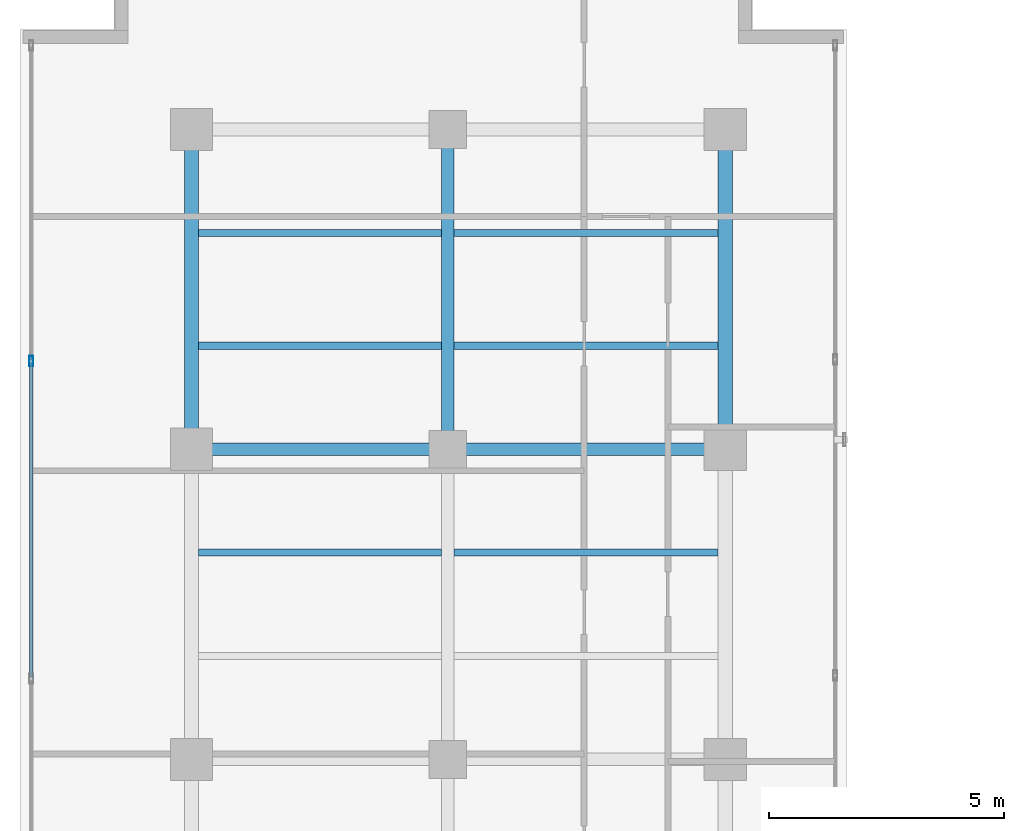
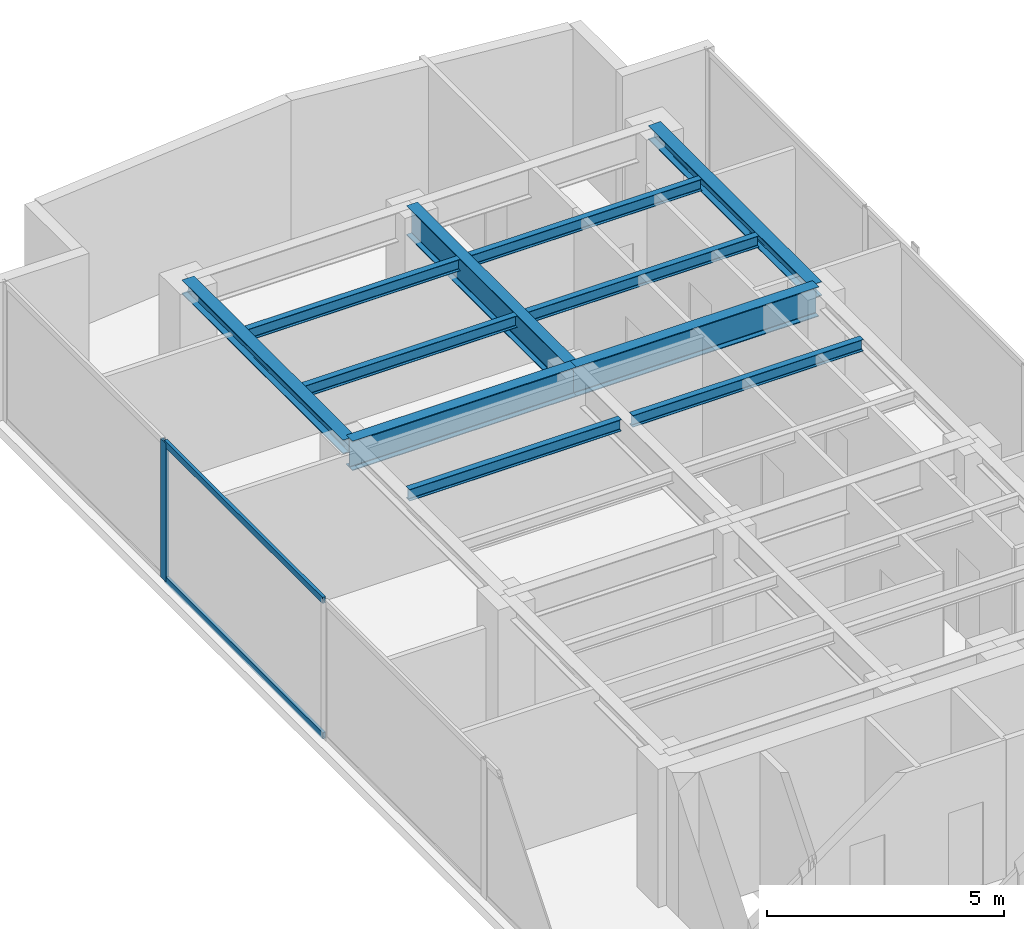
# One storey, part 13 of 23: 11 beams, 3 members, 1 element without a shape of its own.
"""IFC4 building model written with IfcOpenShell, lengths in metres."""

from ifc_helpers import new_model, si_unit, direction, frame, origin, origin_with_axes, origin_2d, place, context, subcontext, project, spatial, hollow_rectangle, i_section, extrude, source, transform, mapped, material, layer, layer_set, material_profile, profile_set, type_object, element, aggregate, save


model = new_model("IFC4")

# Units and contexts
model_context = context("Model", 3, precision=1e-05, world=origin(), true_north=direction((0.0, 1.0)))
body_context = subcontext(model_context, "Body", "Model", "MODEL_VIEW")
ifc_project = project(units=[si_unit("LENGTHUNIT", "METRE"), si_unit("AREAUNIT", "SQUARE_METRE"), si_unit("VOLUMEUNIT", "CUBIC_METRE"), si_unit("PLANEANGLEUNIT", "RADIAN"), si_unit("MASSUNIT", "GRAM", prefix="KILO")], contexts=[model_context])

# Site, building, storey
site_placement = place(None, origin())
site = spatial("IfcSite", under=ifc_project, at=site_placement, CompositionType="ELEMENT")
building_placement = place(site_placement, origin())
building = spatial("IfcBuilding", under=site, at=building_placement, Name="Kolvaren Waterfront Exchange", CompositionType="ELEMENT")
storey_placement = place(building_placement, frame((0.0, 0.0, 270.39990234375)))
storey = spatial("IfcBuildingStorey", under=building, at=storey_placement, Name="L69", CompositionType="ELEMENT", Elevation=270.39990234375)

# Beams
ifc_material_1 = material(Name="Steel S355", Category="steel")
ifc_material_profile_1 = material_profile(ifc_material_1, i_section(OverallWidth=0.300048828125, OverallDepth=0.360107421875, WebThickness=0.012451171875, FlangeThickness=0.0224609375, FilletRadius=0.027099609375, at=origin_2d()), Name="HEB360")
ifc_profile_set_1 = profile_set([ifc_material_profile_1], Name="Steel S355")
beam_type_1 = type_object("IfcBeamType", Name="STR-BM-HEB360", PredefinedType="SPANDREL", material=ifc_profile_set_1)
for number, where, z_axis, x_axis, name in (
    (1, (7.449951171875, 37.800048828125, 3.380126953125), (0.0, 1.0, 0.0), (-1.0, 0.0, 0.0), "L69 north-arm edge beam 3"),
    (2, (18.800048828125, 37.800048828125, 3.380126953125), (0.0, 1.0, 0.0), (-1.0, 0.0, 0.0), "L69 north-arm edge beam 3"),
):
    element("IfcBeam", number, at=place(storey_placement, frame(where, z_axis=z_axis, x_axis=x_axis)), inside=storey, type_object=beam_type_1, Name=name, PredefinedType="SPANDREL", context=body_context, shape_type="SweptSolid", body=[
        extrude(i_section(OverallWidth=0.300048828125, OverallDepth=0.360107421875, WebThickness=0.012451171875, FlangeThickness=0.0224609375, FilletRadius=0.027099609375, at=origin_2d()), origin(), (0.0, 0.0, 1.0), 6.800048828125),
    ])
ifc_material_profile_2 = material_profile(ifc_material_1, i_section(OverallWidth=0.14990234375, OverallDepth=0.300048828125, WebThickness=0.007080078125, FlangeThickness=0.0107421875, FilletRadius=0.014892578125, at=origin_2d()), Name="IPE300")
ifc_profile_set_2 = profile_set([ifc_material_profile_2], Name="Steel S355")
beam_type_2 = type_object("IfcBeamType", Name="STR-BM-IPE300", PredefinedType="JOIST", material=ifc_profile_set_2)
beam_1_placement = place(storey_placement, frame((7.60205078125, 35.60009765625, 3.41015625), z_axis=(1.0, 0.0, 0.0), x_axis=(0.0, 1.0, 0.0)))
element("IfcBeam", 3, at=beam_1_placement, inside=storey, type_object=beam_type_2, Name="L69 north-arm composite joist 4A", PredefinedType="JOIST", context=body_context, shape_type="SweptSolid", body=[
    extrude(i_section(OverallWidth=0.14990234375, OverallDepth=0.300048828125, WebThickness=0.007080078125, FlangeThickness=0.0107421875, FilletRadius=0.014892578125, at=origin_2d()), origin(), (0.0, 0.0, 1.0), 5.162353515625),
])
beam_2_placement = place(storey_placement, frame((13.035400390625, 35.60009765625, 3.41015625), z_axis=(1.0, 0.0, 0.0), x_axis=(0.0, 1.0, 0.0)))
element("IfcBeam", 4, at=beam_2_placement, inside=storey, type_object=beam_type_2, Name="L69 north-arm composite joist 4B", PredefinedType="JOIST", context=body_context, shape_type="SweptSolid", body=[
    extrude(i_section(OverallWidth=0.14990234375, OverallDepth=0.300048828125, WebThickness=0.007080078125, FlangeThickness=0.0107421875, FilletRadius=0.014892578125, at=origin_2d()), origin(), (0.0, 0.0, 1.0), 5.612548828125),
])
beam_3_placement = place(storey_placement, frame((7.60205078125, 40.0, 3.41015625), z_axis=(1.0, 0.0, 0.0), x_axis=(0.0, 1.0, 0.0)))
element("IfcBeam", 5, at=beam_3_placement, inside=storey, type_object=beam_type_2, Name="L69 north-arm composite joist 5A", PredefinedType="JOIST", context=body_context, shape_type="SweptSolid", body=[
    extrude(i_section(OverallWidth=0.14990234375, OverallDepth=0.300048828125, WebThickness=0.007080078125, FlangeThickness=0.0107421875, FilletRadius=0.014892578125, at=origin_2d()), origin(), (0.0, 0.0, 1.0), 5.162353515625),
])
beam_4_placement = place(storey_placement, frame((13.035400390625, 40.0, 3.41015625), z_axis=(1.0, 0.0, 0.0), x_axis=(0.0, 1.0, 0.0)))
element("IfcBeam", 6, at=beam_4_placement, inside=storey, type_object=beam_type_2, Name="L69 north-arm composite joist 5B", PredefinedType="JOIST", context=body_context, shape_type="SweptSolid", body=[
    extrude(i_section(OverallWidth=0.14990234375, OverallDepth=0.300048828125, WebThickness=0.007080078125, FlangeThickness=0.0107421875, FilletRadius=0.014892578125, at=origin_2d()), origin(), (0.0, 0.0, 1.0), 5.612548828125),
])
beam_5_placement = place(storey_placement, frame((7.60205078125, 42.39990234375, 3.41015625), z_axis=(1.0, 0.0, 0.0), x_axis=(0.0, 1.0, 0.0)))
element("IfcBeam", 7, at=beam_5_placement, inside=storey, type_object=beam_type_2, Name="L69 north-arm composite joist 6A", PredefinedType="JOIST", context=body_context, shape_type="SweptSolid", body=[
    extrude(i_section(OverallWidth=0.14990234375, OverallDepth=0.300048828125, WebThickness=0.007080078125, FlangeThickness=0.0107421875, FilletRadius=0.014892578125, at=origin_2d()), origin(), (0.0, 0.0, 1.0), 5.162353515625),
])
beam_6_placement = place(storey_placement, frame((13.035400390625, 42.39990234375, 3.41015625), z_axis=(1.0, 0.0, 0.0), x_axis=(0.0, 1.0, 0.0)))
element("IfcBeam", 8, at=beam_6_placement, inside=storey, type_object=beam_type_2, Name="L69 north-arm composite joist 6B", PredefinedType="JOIST", context=body_context, shape_type="SweptSolid", body=[
    extrude(i_section(OverallWidth=0.14990234375, OverallDepth=0.300048828125, WebThickness=0.007080078125, FlangeThickness=0.0107421875, FilletRadius=0.014892578125, at=origin_2d()), origin(), (0.0, 0.0, 1.0), 5.612548828125),
])
ifc_material_profile_3 = material_profile(ifc_material_1, i_section(OverallWidth=0.26708984375, OverallDepth=0.761962890625, WebThickness=0.014404296875, FlangeThickness=0.021484375, FilletRadius=0.01708984375, at=origin_2d()), Name="IPE750x173")
ifc_profile_set_3 = profile_set([ifc_material_profile_3], Name="Steel S355")
beam_type_3 = type_object("IfcBeamType", Name="STR-BM-IPE750", PredefinedType="BEAM", material=ifc_profile_set_3)
beam_7_placement = place(storey_placement, frame((7.449951171875, 37.800048828125, 3.17919921875), z_axis=(1.0, 0.0, 0.0), x_axis=(0.0, 1.0, 0.0)))
element("IfcBeam", 9, at=beam_7_placement, inside=storey, type_object=beam_type_3, Name="L69 north-arm girder 3A", PredefinedType="BEAM", context=body_context, shape_type="SweptSolid", body=[
    extrude(i_section(OverallWidth=0.26708984375, OverallDepth=0.761962890625, WebThickness=0.014404296875, FlangeThickness=0.021484375, FilletRadius=0.01708984375, at=origin_2d()), origin(), (0.0, 0.0, 1.0), 5.449951171875),
])
beam_8_placement = place(storey_placement, frame((12.89990234375, 37.800048828125, 3.17919921875), z_axis=(1.0, 0.0, 0.0), x_axis=(0.0, 1.0, 0.0)))
element("IfcBeam", 10, at=beam_8_placement, inside=storey, type_object=beam_type_3, Name="L69 north-arm girder 3B", PredefinedType="BEAM", context=body_context, shape_type="SweptSolid", body=[
    extrude(i_section(OverallWidth=0.26708984375, OverallDepth=0.761962890625, WebThickness=0.014404296875, FlangeThickness=0.021484375, FilletRadius=0.01708984375, at=origin_2d()), origin(), (0.0, 0.0, 1.0), 5.900146484375),
])
beam_9_placement = place(storey_placement, frame((12.89990234375, 37.800048828125, 3.17919921875), z_axis=(0.0, 1.0, 0.0), x_axis=(-1.0, 0.0, 0.0)))
element("IfcBeam", 11, at=beam_9_placement, inside=storey, type_object=beam_type_3, Name="L69 north-arm edge beam 3", PredefinedType="BEAM", context=body_context, shape_type="SweptSolid", body=[
    extrude(i_section(OverallWidth=0.26708984375, OverallDepth=0.761962890625, WebThickness=0.014404296875, FlangeThickness=0.021484375, FilletRadius=0.01708984375, at=origin_2d()), origin(), (0.0, 0.0, 1.0), 6.800048828125),
])

# Curtain wall, members
ifc_material_2 = material(Name="Anodised aluminium 6063-T6", Category="aluminium")
ifc_layer = layer(ifc_material_2, 0.219970703125, Name="Anodised aluminium 6063-T6")
ifc_layer_set = layer_set([ifc_layer], Name="Anodised aluminium 6063-T6")
curtain_wall_type = type_object("IfcCurtainWallType", Name="ARC-CW-SYS2", PredefinedType="USERDEFINED", material=ifc_layer_set)
curtain_wall_placement = place(storey_placement, origin())
curtain_wall = element("IfcCurtainWall", 12, at=curtain_wall_placement, inside=storey, type_object=curtain_wall_type, Name="L69 stick curtain wall CW2 (CW-L69-W)", ObjectType="STICK CURTAIN WALL", PredefinedType="USERDEFINED")
ifc_material_profile_4 = material_profile(ifc_material_2, hollow_rectangle(XDim=0.080078125, YDim=0.219970703125, WallThickness=0.0048828125, at=origin_2d()), Name="ALU-MUL-220x80x5")
ifc_profile_set_4 = profile_set([ifc_material_profile_4], Name="Anodised aluminium 6063-T6")
member_type_1 = type_object("IfcMemberType", Name="ARC-CWM-220", PredefinedType="MULLION", material=ifc_profile_set_4)
shared_shape_1 = source(origin_with_axes(), body_context, "Body", "SweptSolid", [
    extrude(hollow_rectangle(XDim=0.080078125, YDim=0.219970703125, WallThickness=0.0048828125, at=origin_2d()), origin(), (0.0, 0.0, 1.0), 3.56005859375),
])
member_1_placement = place(storey_placement, frame((4.0400390625, 39.671875, 0.0), z_axis=(0.0, 0.0, 1.0), x_axis=(-1.0, 0.0, 0.0)))
member_1 = element("IfcMember", 13, at=member_1_placement, type_object=member_type_1, Name="CW2 mullion 6", PredefinedType="MULLION", context=body_context, shape_type="MappedRepresentation", body=[
    mapped(shared_shape_1, transform((0.0, 0.0, 0.0), x_axis=(1.0, 0.0, 0.0), y_axis=(0.0, 1.0, 0.0), z_axis=(0.0, 0.0, 1.0), scale=1.0)),
])
ifc_material_profile_5 = material_profile(ifc_material_2, hollow_rectangle(XDim=0.074951171875, YDim=0.159912109375, WallThickness=0.00439453125, at=origin_2d()), Name="ALU-TRN-160x75x4.5")
ifc_profile_set_5 = profile_set([ifc_material_profile_5], Name="Anodised aluminium 6063-T6")
member_type_2 = type_object("IfcMemberType", Name="ARC-CWT-160", PredefinedType="USERDEFINED", material=ifc_profile_set_5)
shared_shape_2 = source(origin_with_axes(), body_context, "Body", "SweptSolid", [
    extrude(hollow_rectangle(XDim=0.074951171875, YDim=0.159912109375, WallThickness=0.00439453125, at=origin_2d()), origin(), (0.0, 0.0, 1.0), 6.67431640625),
])
member_2_placement = place(storey_placement, frame((4.0400390625, 32.95751953125, 0.03759765625), z_axis=(0.0, 1.0, 0.0), x_axis=(-1.0, 0.0, 0.0)))
member_2 = element("IfcMember", 14, at=member_2_placement, type_object=member_type_2, Name="CW2 transom 5.1", ObjectType="TRANSOM", PredefinedType="USERDEFINED", context=body_context, shape_type="MappedRepresentation", body=[
    mapped(shared_shape_2, transform((0.0, 0.0, 0.0), x_axis=(1.0, 0.0, 0.0), y_axis=(0.0, 1.0, 0.0), z_axis=(0.0, 0.0, 1.0), scale=1.0)),
])
member_3_placement = place(storey_placement, frame((4.0400390625, 32.95751953125, 3.522705078125), z_axis=(0.0, 1.0, 0.0), x_axis=(-1.0, 0.0, 0.0)))
member_3 = element("IfcMember", 15, at=member_3_placement, type_object=member_type_2, Name="CW2 transom 5.2", ObjectType="TRANSOM", PredefinedType="USERDEFINED", context=body_context, shape_type="MappedRepresentation", body=[
    mapped(shared_shape_2, transform((0.0, 0.0, 0.0), x_axis=(1.0, 0.0, 0.0), y_axis=(0.0, 1.0, 0.0), z_axis=(0.0, 0.0, 1.0), scale=1.0)),
])
aggregate(curtain_wall, [member_1, member_2, member_3])

save(model, "model.ifc")
